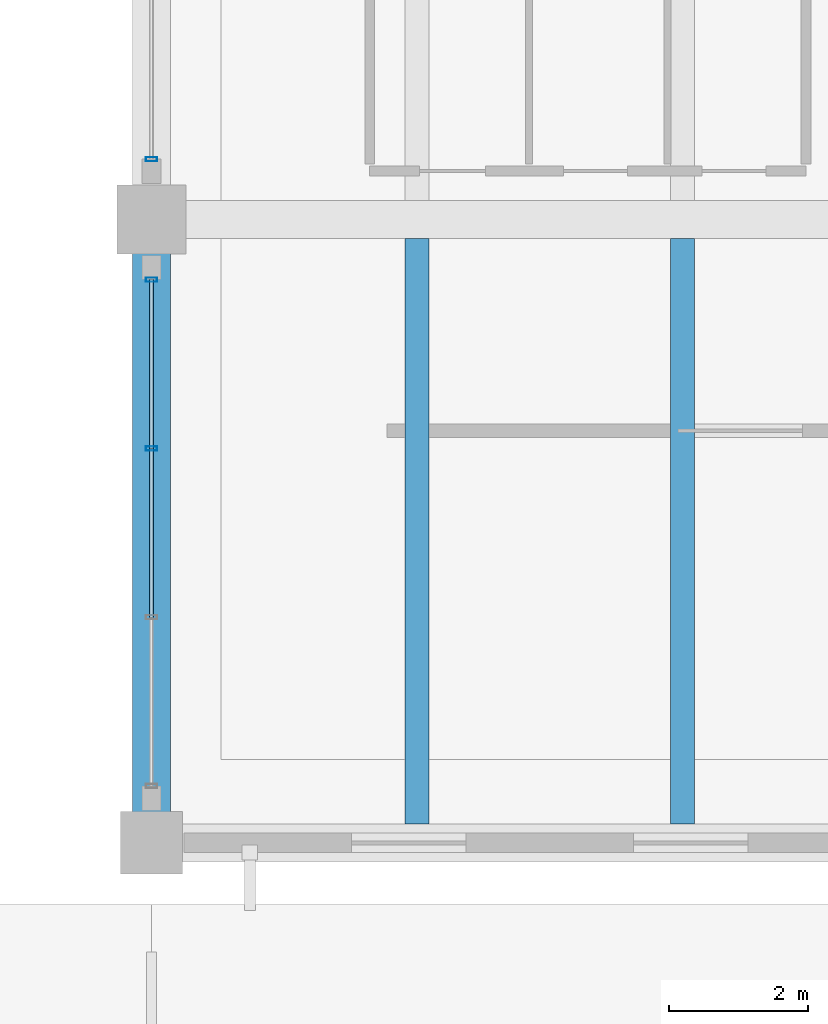
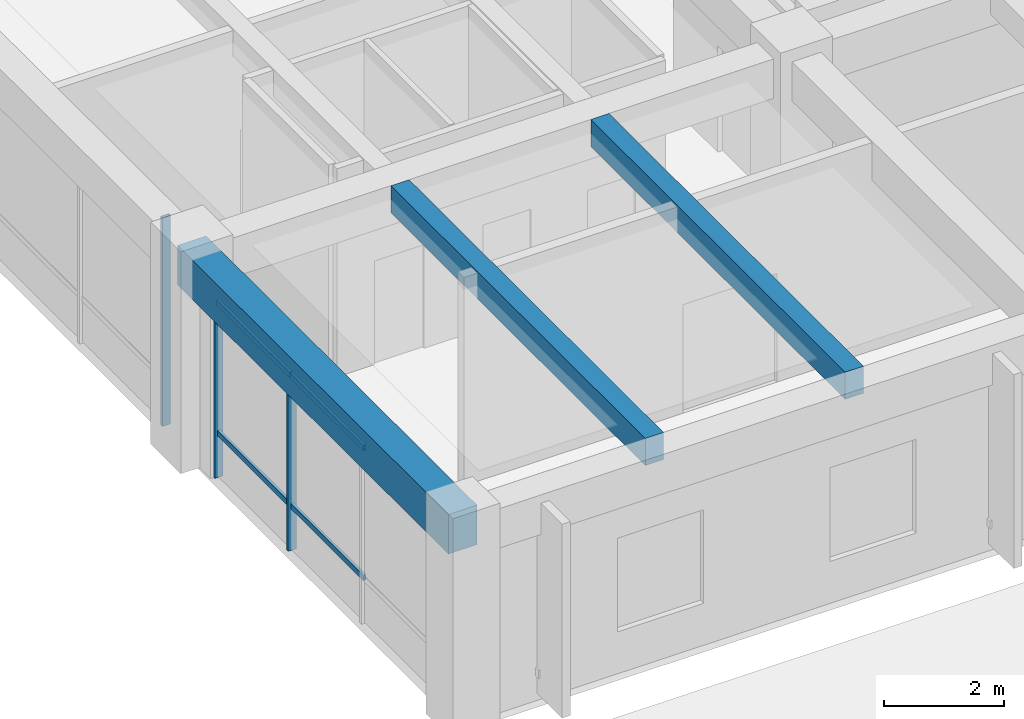
# One storey, part 86 of 154: 7 members, 3 beams, 2 elements without a shape of their own.
"""IFC4 building model written with IfcOpenShell, lengths in metres."""

import ifcopenshell
import ifcopenshell.guid

model = None  # the IFC model being written
_history = None  # IfcOwnerHistory: only IFC2X3 demands one
_inside = {}  # id of a spatial element -> (the spatial element, [elements in it])
_under = {}  # id of a project, library or spatial element -> (it, [spatial elements below it])
_declared = {}  # id of a project -> (the project, [libraries it declares])
_typed = {}  # id of a type object -> (the type object, [elements of that type])
_made_of = {}  # id of a material, layer set ... -> (it, [elements and type objects made of it])


def new_model(schema):
    """Start an empty IFC model of exactly this schema.

    Asked for "IFC4X3", IfcOpenShell would pick the latest addendum, in which some entities
    have other attributes; the version numbers below select the first issue.
    IFC2X3 requires an IfcOwnerHistory on every rooted entity: one is made here for all.
    """
    global model, _history
    if schema == "IFC4X3":
        model = ifcopenshell.file(schema_version=(4, 3, 0, 0))
    else:
        model = ifcopenshell.file(schema=schema)
    _inside.clear()
    _under.clear()
    _declared.clear()
    _typed.clear()
    _made_of.clear()
    _history = None
    if model.schema == "IFC2X3":
        org = make("IfcOrganization", Name="unknown")
        user = make(
            "IfcPersonAndOrganization",
            ThePerson=make("IfcPerson", FamilyName="unknown"),
            TheOrganization=org,
        )
        app = make(
            "IfcApplication",
            ApplicationDeveloper=org,
            Version="unknown",
            ApplicationFullName="unknown",
            ApplicationIdentifier="unknown",
        )
        _history = make(
            "IfcOwnerHistory",
            OwningUser=user,
            OwningApplication=app,
            ChangeAction="ADDED",
            CreationDate=0,
        )
    return model


def make(cls, **values):
    """One entity of the class cls with the attributes given. An attribute that is None is left unset."""
    return model.create_entity(
        cls, **{name: value for name, value in values.items() if value is not None}
    )


def rooted(cls, **values):
    """An entity with a GlobalId (a new one), such as an element, a storey or a relation."""
    return make(cls, GlobalId=ifcopenshell.guid.new(), OwnerHistory=_history, **values)


def si_unit(unit_type, name, prefix=None):
    """IfcSIUnit, for example si_unit("LENGTHUNIT", "METRE", prefix="MILLI")."""
    return make("IfcSIUnit", UnitType=unit_type, Prefix=prefix, Name=name)


def assignment(units):
    """IfcUnitAssignment: the units of a project."""
    return None if units is None else make("IfcUnitAssignment", Units=units)


def point(xyz):
    """IfcCartesianPoint."""
    return None if xyz is None else make("IfcCartesianPoint", Coordinates=xyz)


def direction(xyz):
    """IfcDirection."""
    return None if xyz is None else make("IfcDirection", DirectionRatios=xyz)


def frame(location, z_axis=None, x_axis=None):
    """IfcAxis2Placement3D, a coordinate frame: its origin and axes. An axis left out is left unset."""
    return make(
        "IfcAxis2Placement3D",
        Location=point(location),
        Axis=direction(z_axis),
        RefDirection=direction(x_axis),
    )


def frame_2d(location, x_axis=None):
    """IfcAxis2Placement2D, a coordinate frame in the plane: its origin and x axis."""
    return make(
        "IfcAxis2Placement2D", Location=point(location), RefDirection=direction(x_axis)
    )


def origin():
    """The frame at (0, 0, 0) with its axes left unset."""
    return frame((0.0, 0.0, 0.0))


def origin_2d():
    """The frame at (0, 0) in the plane with its x axis left unset."""
    return frame_2d((0.0, 0.0))


def place(relative_to, where):
    """IfcLocalPlacement: puts the frame where relative to a parent placement (None: the world)."""
    return make(
        "IfcLocalPlacement", PlacementRelTo=relative_to, RelativePlacement=where
    )


def context(
    kind, dimensions, precision=None, world=None, true_north=None, identifier=None
):
    """IfcGeometricRepresentationContext, for example the 3D "Model" context."""
    return make(
        "IfcGeometricRepresentationContext",
        ContextIdentifier=identifier,
        ContextType=kind,
        CoordinateSpaceDimension=dimensions,
        Precision=precision,
        WorldCoordinateSystem=world,
        TrueNorth=true_north,
    )


def subcontext(parent, identifier, kind, view, scale=None):
    """IfcGeometricRepresentationSubContext, for example "Body" below "Model"."""
    return make(
        "IfcGeometricRepresentationSubContext",
        ContextIdentifier=identifier,
        ContextType=kind,
        ParentContext=parent,
        TargetScale=scale,
        TargetView=view,
    )


def project(units=None, contexts=None):
    """IfcProject with its units and contexts."""
    return rooted(
        "IfcProject",
        Name="project",
        RepresentationContexts=contexts,
        UnitsInContext=assignment(units),
    )


def spatial(cls, under=None, at=None, **own):
    """A site, building, storey or space (cls), placed at a placement, below another one or the project."""
    s = rooted(cls, ObjectPlacement=at, **own)
    if under is not None:
        _under.setdefault(under.id(), (under, []))[1].append(s)
    return s


def profile(cls, at=None, kind="AREA", **sizes):
    """A parametric profile (cls). Its sizes go by their IFC names, for example OverallWidth=200.0."""
    return make(cls, ProfileType=kind, Position=at, **sizes)


def rectangle(**sizes):
    """IfcRectangleProfileDef."""
    return profile("IfcRectangleProfileDef", **sizes)


def hollow_rectangle(**sizes):
    """IfcRectangleHollowProfileDef."""
    return profile("IfcRectangleHollowProfileDef", **sizes)


def extrude(swept, where, along, depth):
    """IfcExtrudedAreaSolid: the profile swept, set in the frame where, extruded along a direction by depth."""
    return make(
        "IfcExtrudedAreaSolid",
        SweptArea=swept,
        Position=where,
        ExtrudedDirection=direction(along),
        Depth=depth,
    )


def shape(context_of_items, identifier, shape_type, items):
    """IfcShapeRepresentation: the items that make up one representation, for example the "Body"."""
    return make(
        "IfcShapeRepresentation",
        ContextOfItems=context_of_items,
        RepresentationIdentifier=identifier,
        RepresentationType=shape_type,
        Items=items,
    )


def material(Name=None, Category=None):
    """IfcMaterial."""
    return make("IfcMaterial", Name=Name, Category=Category)


def material_profile(
    of_material, cross_section, Name=None, Category=None, Priority=None
):
    """IfcMaterialProfile: a cross section and its material."""
    return make(
        "IfcMaterialProfile",
        Name=Name,
        Material=of_material,
        Profile=cross_section,
        Priority=Priority,
        Category=Category,
    )


def profile_set(profiles, Name=None, composite=None):
    """IfcMaterialProfileSet."""
    return make(
        "IfcMaterialProfileSet",
        Name=Name,
        MaterialProfiles=profiles,
        CompositeProfile=composite,
    )


def made_of(thing, what):
    """Note that an element or type object is made of a material, layer set ...; save() writes the relation."""
    if what is not None:
        _made_of.setdefault(what.id(), (what, []))[1].append(thing)
    return thing


def type_object(cls, material=None, **own):
    """A type object (cls), such as IfcWallType, which elements share."""
    return made_of(rooted(cls, **own), material)


def element(
    cls,
    number,
    at=None,
    inside=None,
    cuts=None,
    type_object=None,
    material=None,
    context=None,
    identifier="Body",
    shape_type=None,
    held_by="IfcProductDefinitionShape",
    body=None,
    shapes=None,
    **own,
):
    """One element of the class cls, such as IfcWall. Its Tag is "e" and its number.

    at: its placement. inside: the storey or other place that contains it. cuts: it is an
    opening in that element (IfcRelVoidsElement). A single representation is given by context,
    identifier, shape_type and body (its items); several are given by shapes. held_by: the class
    of the entity that holds the representations. save() writes the other relations.
    """
    e = rooted(cls, Tag="e%d" % number, ObjectPlacement=at, **own)
    if body is not None:
        shapes = [shape(context, identifier, shape_type, body)]
    if shapes is not None:
        e.Representation = make(held_by, Representations=shapes)
    if inside is not None:
        _inside.setdefault(inside.id(), (inside, []))[1].append(e)
    if cuts is not None:
        rooted(
            "IfcRelVoidsElement", RelatingBuildingElement=cuts, RelatedOpeningElement=e
        )
    if type_object is not None:
        _typed.setdefault(type_object.id(), (type_object, []))[1].append(e)
    return made_of(e, material)


def aggregate(whole, parts):
    """IfcRelAggregates: a whole, such as a stair, and the parts it consists of."""
    return rooted("IfcRelAggregates", RelatingObject=whole, RelatedObjects=parts)


def save(model, path):
    """Write the relations noted so far, then the file.

    IfcRelAggregates (storeys below a building ...), IfcRelContainedInSpatialStructure (elements
    in a storey), IfcRelDefinesByType, IfcRelAssociatesMaterial and IfcRelDeclares: one each for
    every whole, place, type object, material and project.
    """
    for whole, parts in _under.values():
        aggregate(whole, parts)
    for where, things in _inside.values():
        rooted(
            "IfcRelContainedInSpatialStructure",
            RelatedElements=things,
            RelatingStructure=where,
        )
    for kind, things in _typed.values():
        rooted("IfcRelDefinesByType", RelatedObjects=things, RelatingType=kind)
    for what, things in _made_of.values():
        rooted("IfcRelAssociatesMaterial", RelatedObjects=things, RelatingMaterial=what)
    for by, libraries in _declared.values():
        rooted("IfcRelDeclares", RelatingContext=by, RelatedDefinitions=libraries)
    model.write(path)


model = new_model("IFC4")

# Units and contexts
model_context = context("Model", 3, precision=1e-05, world=origin(), true_north=direction((0.0, 1.0)))
body_context = subcontext(model_context, "Body", "Model", "MODEL_VIEW")
ifc_project = project(units=[si_unit("LENGTHUNIT", "METRE"), si_unit("AREAUNIT", "SQUARE_METRE"), si_unit("VOLUMEUNIT", "CUBIC_METRE"), si_unit("PLANEANGLEUNIT", "RADIAN"), si_unit("MASSUNIT", "GRAM", prefix="KILO")], contexts=[model_context])

# Site, building, storey
site_placement = place(None, origin())
site = spatial("IfcSite", under=ifc_project, at=site_placement, CompositionType="ELEMENT")
building_placement = place(site_placement, origin())
building = spatial("IfcBuilding", under=site, at=building_placement, Name="Ologun Quay Terminus", CompositionType="ELEMENT")
storey_placement = place(building_placement, frame((0.0, 0.0, 13.800048828125)))
storey = spatial("IfcBuildingStorey", under=building, at=storey_placement, Name="L03", CompositionType="ELEMENT", Elevation=13.800048828125)

# Curtain wall, members
ifc_material_1 = material(Name="Aluminium 6063-T6", Category="aluminium")
curtain_wall_type = type_object("IfcCurtainWallType", Name="Rain-Garden East Courtyard Curtain Wall L03 9200x4150", PredefinedType="USERDEFINED", material=ifc_material_1)
curtain_wall_1_placement = place(storey_placement, origin())
curtain_wall_1 = element("IfcCurtainWall", 1, at=curtain_wall_1_placement, inside=storey, type_object=curtain_wall_type, Name="CW-20 Curtain Wall CW-L03-142", ObjectType="UNITISED CURTAIN WALL", PredefinedType="USERDEFINED")
ifc_material_2 = material(Name="Aluminium 6063-T6", Category="aluminium")
ifc_material_profile_1 = material_profile(ifc_material_2, hollow_rectangle(XDim=0.06005859375, YDim=0.159912109375, WallThickness=0.00390625, at=origin_2d()), Name="ALU 160x60x4")
ifc_profile_set_1 = profile_set([ifc_material_profile_1], Name="Aluminium 6063-T6")
member_type_1 = type_object("IfcMemberType", Name="Courtyard Screen Mullion 160x65", PredefinedType="MULLION", material=ifc_profile_set_1)
member_1_placement = place(storey_placement, frame((115.0, 91.493408203125, 0.0), z_axis=(0.0, 0.0, 1.0), x_axis=(0.0, 1.0, 0.0)))
member_1 = element("IfcMember", 2, at=member_1_placement, type_object=member_type_1, Name="CW-L03-142 Mullion 3", PredefinedType="MULLION", context=body_context, shape_type="SweptSolid", body=[
    extrude(hollow_rectangle(XDim=0.06005859375, YDim=0.159912109375, WallThickness=0.00390625, at=origin_2d()), origin(), (0.0, 0.0, 1.0), 4.22998046875),
])
member_2_placement = place(storey_placement, frame((115.0, 93.929931640625, 0.0), z_axis=(0.0, 0.0, 1.0), x_axis=(0.0, 1.0, 0.0)))
member_2 = element("IfcMember", 3, at=member_2_placement, type_object=member_type_1, Name="CW-L03-142 Mullion 4", PredefinedType="MULLION", context=body_context, shape_type="SweptSolid", body=[
    extrude(hollow_rectangle(XDim=0.06005859375, YDim=0.159912109375, WallThickness=0.00390625, at=origin_2d()), origin(), (0.0, 0.0, 1.0), 4.22998046875),
])

# Curtain wall, member
curtain_wall_2_placement = place(storey_placement, origin())
curtain_wall_2 = element("IfcCurtainWall", 4, at=curtain_wall_2_placement, inside=storey, type_object=curtain_wall_type, Name="CW-20 Curtain Wall CW-L03-143", ObjectType="UNITISED CURTAIN WALL", PredefinedType="USERDEFINED")
member_3_placement = place(storey_placement, frame((115.0, 95.669921875, 0.0), z_axis=(0.0, 0.0, 1.0), x_axis=(0.0, 1.0, 0.0)))
member_3 = element("IfcMember", 5, at=member_3_placement, type_object=member_type_1, Name="CW-L03-143 Mullion 1", PredefinedType="MULLION", context=body_context, shape_type="SweptSolid", body=[
    extrude(hollow_rectangle(XDim=0.06005859375, YDim=0.159912109375, WallThickness=0.00390625, at=origin_2d()), origin(), (0.0, 0.0, 1.0), 4.22998046875),
])
aggregate(curtain_wall_2, [member_3])

# Member
ifc_material_3 = material(Name="Aluminium 6063-T6", Category="aluminium")
ifc_material_profile_2 = material_profile(ifc_material_3, hollow_rectangle(XDim=0.054931640625, YDim=0.110107421875, WallThickness=0.00390625, at=origin_2d()), Name="ALU 110x55x4")
ifc_profile_set_2 = profile_set([ifc_material_profile_2], Name="Aluminium 6063-T6")
member_type_2 = type_object("IfcMemberType", Name="Courtyard Screen Transom 110x55", PredefinedType="USERDEFINED", material=ifc_profile_set_2)
member_4_placement = place(storey_placement, frame((115.0, 89.056640625, 0.89990234375), z_axis=(0.0, 1.0, 0.0), x_axis=(-1.0, 0.0, 0.0)))
member_4 = element("IfcMember", 6, at=member_4_placement, type_object=member_type_2, Name="CW-L03-142 Transom B2-1", ObjectType="TRANSOM", PredefinedType="USERDEFINED", context=body_context, shape_type="SweptSolid", body=[
    extrude(hollow_rectangle(XDim=0.054931640625, YDim=0.110107421875, WallThickness=0.00390625, at=origin_2d()), origin(), (0.0, 0.0, 1.0), 2.436767578125),
])

member_5_placement = place(storey_placement, frame((115.0, 89.056640625, 3.530029296875), z_axis=(0.0, 1.0, 0.0), x_axis=(-1.0, 0.0, 0.0)))
member_5 = element("IfcMember", 7, at=member_5_placement, type_object=member_type_2, Name="CW-L03-142 Transom B2-2", ObjectType="TRANSOM", PredefinedType="USERDEFINED", context=body_context, shape_type="SweptSolid", body=[
    extrude(hollow_rectangle(XDim=0.054931640625, YDim=0.110107421875, WallThickness=0.00390625, at=origin_2d()), origin(), (0.0, 0.0, 1.0), 2.436767578125),
])

member_6_placement = place(storey_placement, frame((115.0, 91.493408203125, 0.89990234375), z_axis=(0.0, 1.0, 0.0), x_axis=(-1.0, 0.0, 0.0)))
member_6 = element("IfcMember", 8, at=member_6_placement, type_object=member_type_2, Name="CW-L03-142 Transom B3-1", ObjectType="TRANSOM", PredefinedType="USERDEFINED", context=body_context, shape_type="SweptSolid", body=[
    extrude(hollow_rectangle(XDim=0.054931640625, YDim=0.110107421875, WallThickness=0.00390625, at=origin_2d()), origin(), (0.0, 0.0, 1.0), 2.4365234375),
])

member_7_placement = place(storey_placement, frame((115.0, 91.493408203125, 3.530029296875), z_axis=(0.0, 1.0, 0.0), x_axis=(-1.0, 0.0, 0.0)))
member_7 = element("IfcMember", 9, at=member_7_placement, type_object=member_type_2, Name="CW-L03-142 Transom B3-2", ObjectType="TRANSOM", PredefinedType="USERDEFINED", context=body_context, shape_type="SweptSolid", body=[
    extrude(hollow_rectangle(XDim=0.054931640625, YDim=0.110107421875, WallThickness=0.00390625, at=origin_2d()), origin(), (0.0, 0.0, 1.0), 2.4365234375),
])

aggregate(curtain_wall_1, [member_1, member_2, member_4, member_5, member_6, member_7])

# Beams
ifc_material_4 = material(Name="Concrete C40/50", Category="concrete")
ifc_material_profile_3 = material_profile(ifc_material_4, rectangle(XDim=0.550048828125, YDim=0.800048828125, at=origin_2d()), Name="RC 550x800")
ifc_profile_set_3 = profile_set([ifc_material_profile_3], Name="Concrete C40/50")
beam_type_1 = type_object("IfcBeamType", Name="Courtyard Wing Primary Girder 550x800", PredefinedType="BEAM", material=ifc_profile_set_3)
beam_placement = place(storey_placement, frame((115.0, 85.800048828125, 3.849853515625), z_axis=(0.0, 1.0, 0.0), x_axis=(-1.0, 0.0, 0.0)))
element("IfcBeam", 10, at=beam_placement, inside=storey, type_object=beam_type_1, Name="B4 Beam 11/G2 L03", PredefinedType="BEAM", context=body_context, shape_type="SweptSolid", body=[
    extrude(rectangle(XDim=0.550048828125, YDim=0.800048828125, at=origin_2d()), origin(), (0.0, 0.0, 1.0), 9.0),
])
ifc_material_5 = material(Name="Concrete C40/50", Category="concrete")
ifc_material_profile_4 = material_profile(ifc_material_5, rectangle(XDim=0.35009765625, YDim=0.550048828125, at=origin_2d()), Name="RC 350x550")
ifc_profile_set_4 = profile_set([ifc_material_profile_4], Name="Concrete C40/50")
beam_type_2 = type_object("IfcBeamType", Name="Courtyard Wing Secondary Joist 350x550", PredefinedType="JOIST", material=ifc_profile_set_4)
for number, where, z_axis, x_axis, name in (
    (11, (118.833251953125, 86.074951171875, 3.974853515625), (0.0, 1.0, 0.0), (-1.0, 0.0, 0.0), "J2 Beam 11/G2 L03"),
    (12, (122.666748046875, 86.074951171875, 3.974853515625), (0.0, 1.0, 0.0), (-1.0, 0.0, 0.0), "J2 Beam 11/G2 L03"),
):
    element("IfcBeam", number, at=place(storey_placement, frame(where, z_axis=z_axis, x_axis=x_axis)), inside=storey, type_object=beam_type_2, Name=name, PredefinedType="JOIST", context=body_context, shape_type="SweptSolid", body=[
        extrude(rectangle(XDim=0.35009765625, YDim=0.550048828125, at=origin_2d()), origin(), (0.0, 0.0, 1.0), 8.449951171875),
    ])

save(model, "model.ifc")
